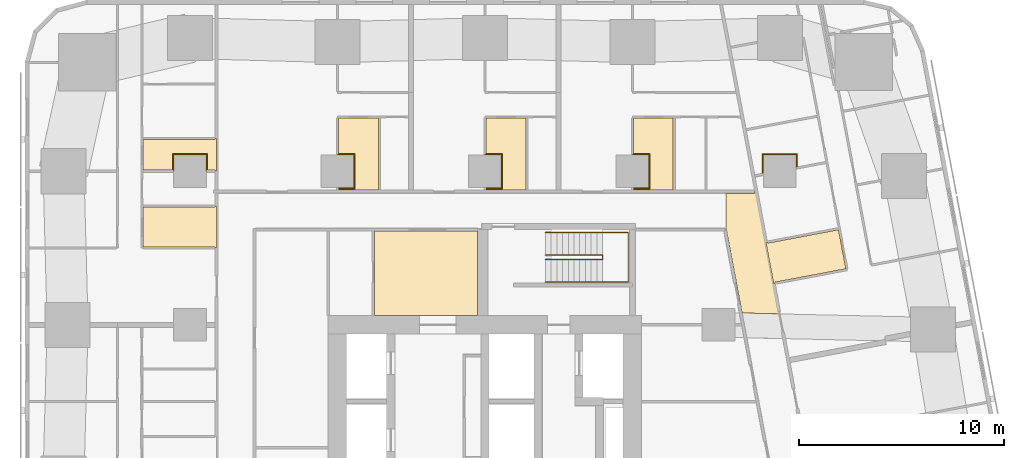
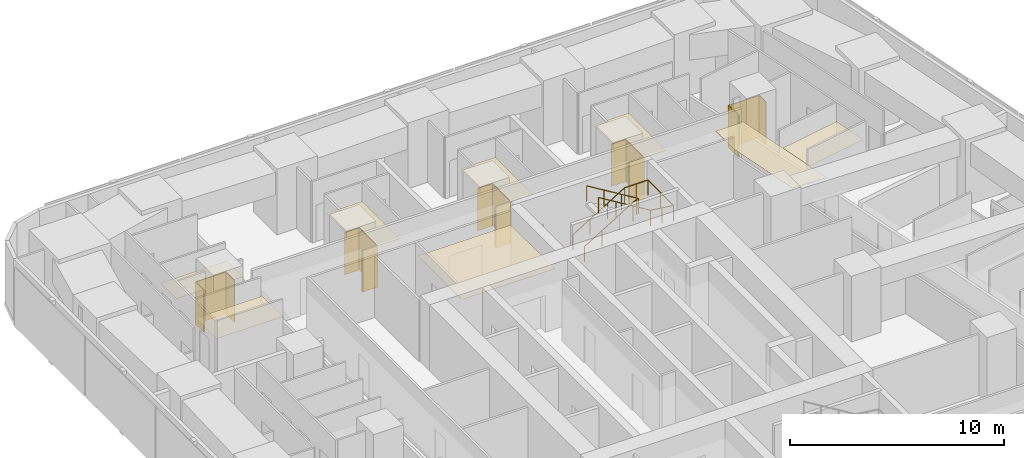
# One storey, part 16 of 16: 13 coverings, 2 railings.
"""IFC4 building model written with IfcOpenShell, lengths in metres."""

from ifc_helpers import new_model, si_unit, direction, frame, origin, origin_2d, place, context, subcontext, project, spatial, polyline, circle, outline, extrude, material, layer, layer_set, type_object, element, save


model = new_model("IFC4")

# Units and contexts
model_context = context("Model", 3, precision=1e-05, world=origin(), true_north=direction((0.0, 1.0)))
body_context = subcontext(model_context, "Body", "Model", "MODEL_VIEW")
ifc_project = project(units=[si_unit("LENGTHUNIT", "METRE"), si_unit("AREAUNIT", "SQUARE_METRE"), si_unit("VOLUMEUNIT", "CUBIC_METRE"), si_unit("PLANEANGLEUNIT", "RADIAN"), si_unit("MASSUNIT", "GRAM", prefix="KILO")], contexts=[model_context])

# Site, building, storey
site_placement = place(None, origin())
site = spatial("IfcSite", under=ifc_project, at=site_placement, CompositionType="ELEMENT")
building_placement = place(site_placement, origin())
building = spatial("IfcBuilding", under=site, at=building_placement, Name="Sheger Commons Tower", CompositionType="ELEMENT")
storey_placement = place(building_placement, frame((0.0, 0.0, 96.64990234375)))
storey = spatial("IfcBuildingStorey", under=building, at=storey_placement, Name="L24", CompositionType="ELEMENT", Elevation=96.64990234375)

# Railings
ifc_material_1 = material(Name="Steel handrail, black powder-coated", Category="steel")
railing_type = type_object("IfcRailingType", Name="HANDRAIL 900", PredefinedType="HANDRAIL", material=ifc_material_1)
railing_1_placement = place(storey_placement, frame((24.550048828125, 33.39990234375, 0.170654296875)))
element("IfcRailing", 1, at=railing_1_placement, inside=storey, type_object=railing_type, Name="Stair S2 handrail L24", PredefinedType="HANDRAIL", context=body_context, shape_type="SweptSolid", body=[
    extrude(circle(Radius=0.02392578125, at=origin_2d()), frame((0.0, 0.0, 0.8759765625), z_axis=(0.854202870247, 0.0, 0.519939858505), x_axis=(0.0, 1.0, 0.0)), (0.0, 0.0, 1.0), 3.278076171875),
    extrude(circle(Radius=0.02392578125, at=origin_2d()), frame((2.800048828125, 0.0, 2.580078125), z_axis=(0.0, -0.760631612298, 0.649183757016), x_axis=(1.0, 0.0, 0.0)), (0.0, 0.0, 1.0), 0.262939453125),
    extrude(circle(Radius=0.02392578125, at=origin_2d()), frame((2.800048828125, -0.199951171875, 2.7509765625), z_axis=(-0.854202870247, 0.0, 0.519939858505), x_axis=(0.0, -1.0, 0.0)), (0.0, 0.0, 1.0), 3.278076171875),
    extrude(circle(Radius=0.02099609375, at=origin_2d()), origin(), (0.0, 0.0, 1.0), 0.851806640625),
    extrude(circle(Radius=0.02099609375, at=origin_2d()), frame((0.933349609375, 0.0, 0.568115234375)), (0.0, 0.0, 1.0), 0.851806640625),
    extrude(circle(Radius=0.02099609375, at=origin_2d()), frame((1.86669921875, 0.0, 1.13623046875)), (0.0, 0.0, 1.0), 0.851806640625),
    extrude(circle(Radius=0.02099609375, at=origin_2d()), frame((2.800048828125, 0.0, 1.704345703125)), (0.0, 0.0, 1.0), 0.851806640625),
    extrude(circle(Radius=0.02099609375, at=origin_2d()), frame((2.800048828125, -0.199951171875, 1.875)), (0.0, 0.0, 1.0), 0.851806640625),
    extrude(circle(Radius=0.02099609375, at=origin_2d()), frame((1.86669921875, -0.199951171875, 2.443115234375)), (0.0, 0.0, 1.0), 0.851806640625),
    extrude(circle(Radius=0.02099609375, at=origin_2d()), frame((0.933349609375, -0.199951171875, 3.01123046875)), (0.0, 0.0, 1.0), 0.851806640625),
    extrude(circle(Radius=0.02099609375, at=origin_2d()), frame((0.0, -0.199951171875, 3.579345703125)), (0.0, 0.0, 1.0), 0.851806640625),
])
railing_2_placement = place(storey_placement, frame((24.550048828125, 34.5, 0.170654296875)))
element("IfcRailing", 2, at=railing_2_placement, inside=storey, type_object=railing_type, Name="Stair S2 handrail L24", PredefinedType="HANDRAIL", context=body_context, shape_type="SweptSolid", body=[
    extrude(circle(Radius=0.02392578125, at=origin_2d()), frame((0.0, 0.0, 0.8759765625), z_axis=(0.854202870247, 0.0, 0.519939858505), x_axis=(0.0, 1.0, 0.0)), (0.0, 0.0, 1.0), 3.278076171875),
    extrude(circle(Radius=0.02392578125, at=origin_2d()), frame((2.800048828125, 0.0, 2.580078125), z_axis=(1.0, 0.0, 0.0), x_axis=(0.0, 1.0, 0.0)), (0.0, 0.0, 1.0), 1.25),
    extrude(circle(Radius=0.02392578125, at=origin_2d()), frame((4.050048828125, 0.0, 2.580078125), z_axis=(0.0, -1.0, 0.0), x_axis=(1.0, 0.0, 0.0)), (0.0, 0.0, 1.0), 2.39990234375),
    extrude(circle(Radius=0.02392578125, at=origin_2d()), frame((4.050048828125, -2.39990234375, 2.580078125), z_axis=(-0.990808959222, 0.0, 0.135268645019), x_axis=(0.0, -1.0, 0.0)), (0.0, 0.0, 1.0), 1.261474609375),
    extrude(circle(Radius=0.02392578125, at=origin_2d()), frame((2.800048828125, -2.39990234375, 2.7509765625), z_axis=(-0.854202870247, 0.0, 0.519939858505), x_axis=(0.0, -1.0, 0.0)), (0.0, 0.0, 1.0), 3.278076171875),
    extrude(circle(Radius=0.02099609375, at=origin_2d()), origin(), (0.0, 0.0, 1.0), 0.851806640625),
    extrude(circle(Radius=0.02099609375, at=origin_2d()), frame((0.933349609375, 0.0, 0.568115234375)), (0.0, 0.0, 1.0), 0.851806640625),
    extrude(circle(Radius=0.02099609375, at=origin_2d()), frame((1.86669921875, 0.0, 1.13623046875)), (0.0, 0.0, 1.0), 0.851806640625),
    extrude(circle(Radius=0.02099609375, at=origin_2d()), frame((2.800048828125, 0.0, 1.704345703125)), (0.0, 0.0, 1.0), 0.851806640625),
    extrude(circle(Radius=0.02099609375, at=origin_2d()), frame((3.425048828125, 0.0, 1.704345703125)), (0.0, 0.0, 1.0), 0.851806640625),
    extrude(circle(Radius=0.02099609375, at=origin_2d()), frame((4.050048828125, 0.0, 1.704345703125)), (0.0, 0.0, 1.0), 0.851806640625),
    extrude(circle(Radius=0.02099609375, at=origin_2d()), frame((4.050048828125, -1.199951171875, 1.704345703125)), (0.0, 0.0, 1.0), 0.851806640625),
    extrude(circle(Radius=0.02099609375, at=origin_2d()), frame((4.050048828125, -2.39990234375, 1.704345703125)), (0.0, 0.0, 1.0), 0.851806640625),
    extrude(circle(Radius=0.02099609375, at=origin_2d()), frame((3.425048828125, -2.39990234375, 1.78955078125)), (0.0, 0.0, 1.0), 0.851806640625),
    extrude(circle(Radius=0.02099609375, at=origin_2d()), frame((2.800048828125, -2.39990234375, 1.875)), (0.0, 0.0, 1.0), 0.851806640625),
    extrude(circle(Radius=0.02099609375, at=origin_2d()), frame((1.86669921875, -2.39990234375, 2.443115234375)), (0.0, 0.0, 1.0), 0.851806640625),
    extrude(circle(Radius=0.02099609375, at=origin_2d()), frame((0.933349609375, -2.39990234375, 3.01123046875)), (0.0, 0.0, 1.0), 0.851806640625),
    extrude(circle(Radius=0.02099609375, at=origin_2d()), frame((0.0, -2.39990234375, 3.579345703125)), (0.0, 0.0, 1.0), 0.851806640625),
])

# Coverings
ifc_material_2 = material(Name="Moisture-resistant gypsum plasterboard 15 mm on a suspended galvanised steel grid", Category="steel")
ifc_layer_1 = layer(ifc_material_2, 0.014892578125)
ifc_layer_set_1 = layer_set([ifc_layer_1], Name="MOISTURE-RESISTANT CEILING 15")
covering_type_1 = type_object("IfcCoveringType", Name="MOISTURE-RESISTANT CEILING 15", PredefinedType="CEILING", material=ifc_layer_set_1)
covering_1_placement = place(storey_placement, frame((0.0, 0.0, 2.400146484375)))
element("IfcCovering", 3, at=covering_1_placement, inside=storey, type_object=covering_type_1, Name="L24-04.B1 ceiling", PredefinedType="CEILING", context=body_context, shape_type="SweptSolid", body=[
    extrude(outline(polyline([(8.429931640625, 33.75), (8.5, 33.75), (8.5, 35.800048828125), (8.429931640625, 35.800048828125), (8.429931640625, 35.7451171875), (4.905029296875, 35.7451171875), (4.905029296875, 33.804931640625), (8.429931640625, 33.804931640625), (8.429931640625, 33.75)])), origin(), (0.0, 0.0, 1.0), 0.014892578125),
])
covering_2_placement = place(storey_placement, frame((0.0, 0.0, 2.400146484375)))
element("IfcCovering", 4, at=covering_2_placement, inside=storey, type_object=covering_type_1, Name="L24-04.B2 ceiling", PredefinedType="CEILING", context=body_context, shape_type="SweptSolid", body=[
    extrude(outline(polyline([(8.429931640625, 37.5), (8.5, 37.5), (8.5, 39.10009765625), (8.429931640625, 39.10009765625), (8.429931640625, 39.044921875), (4.905029296875, 39.044921875), (4.905029296875, 37.554931640625), (6.39501953125, 37.554931640625), (6.39501953125, 38.304931640625), (8.0048828125, 38.304931640625), (8.0048828125, 37.554931640625), (8.429931640625, 37.554931640625), (8.429931640625, 37.5)])), origin(), (0.0, 0.0, 1.0), 0.014892578125),
])
covering_3_placement = place(storey_placement, frame((0.0, 0.0, 2.400146484375)))
element("IfcCovering", 5, at=covering_3_placement, inside=storey, type_object=covering_type_1, Name="L24-09.B1 ceiling", PredefinedType="CEILING", context=body_context, shape_type="SweptSolid", body=[
    extrude(outline(polyline([(35.701904296875, 32.014892578125), (35.77099609375, 32.028076171875), (35.760986328125, 32.08203125), (39.22412109375, 32.736083984375), (38.864013671875, 34.64208984375), (35.40087890625, 33.988037109375), (35.39111328125, 34.0419921875), (35.322021484375, 34.029052734375), (35.701904296875, 32.014892578125)])), origin(), (0.0, 0.0, 1.0), 0.014892578125),
])
covering_4_placement = place(storey_placement, frame((0.0, 0.0, 2.400146484375)))
element("IfcCovering", 6, at=covering_4_placement, inside=storey, type_object=covering_type_1, Name="L24-12.B1 ceiling", PredefinedType="CEILING", context=body_context, shape_type="SweptSolid", body=[
    extrude(outline(polyline([(14.455078125, 36.580078125), (16.39501953125, 36.580078125), (16.39501953125, 40.094970703125), (14.455078125, 40.094970703125), (14.455078125, 38.304931640625), (15.205078125, 38.304931640625), (15.205078125, 36.695068359375), (14.455078125, 36.695068359375), (14.455078125, 36.580078125)])), origin(), (0.0, 0.0, 1.0), 0.014892578125),
])
covering_5_placement = place(storey_placement, frame((0.0, 0.0, 2.400146484375)))
element("IfcCovering", 7, at=covering_5_placement, inside=storey, type_object=covering_type_1, Name="L24-13.B1 ceiling", PredefinedType="CEILING", context=body_context, shape_type="SweptSolid", body=[
    extrude(outline(polyline([(21.655029296875, 36.580078125), (23.594970703125, 36.580078125), (23.594970703125, 40.094970703125), (21.655029296875, 40.094970703125), (21.655029296875, 38.304931640625), (22.405029296875, 38.304931640625), (22.405029296875, 36.695068359375), (21.655029296875, 36.695068359375), (21.655029296875, 36.580078125)])), origin(), (0.0, 0.0, 1.0), 0.014892578125),
])
covering_6_placement = place(storey_placement, frame((0.0, 0.0, 2.400146484375)))
element("IfcCovering", 8, at=covering_6_placement, inside=storey, type_object=covering_type_1, Name="L24-14.B1 ceiling", PredefinedType="CEILING", context=body_context, shape_type="SweptSolid", body=[
    extrude(outline(polyline([(28.85498046875, 36.580078125), (30.794921875, 36.580078125), (30.794921875, 40.094970703125), (28.85498046875, 40.094970703125), (28.85498046875, 38.304931640625), (29.60498046875, 38.304931640625), (29.60498046875, 36.695068359375), (28.85498046875, 36.695068359375), (28.85498046875, 36.580078125)])), origin(), (0.0, 0.0, 1.0), 0.014892578125),
])
ifc_material_3 = material(Name="Gypsum plasterboard 15 mm on a suspended steel grid", Category="steel")
ifc_layer_2 = layer(ifc_material_3, 0.014892578125)
ifc_layer_set_2 = layer_set([ifc_layer_2], Name="SUSPENDED CEILING 15")
covering_type_2 = type_object("IfcCoveringType", Name="SUSPENDED CEILING 15", PredefinedType="CEILING", material=ifc_layer_set_2)
covering_7_placement = place(storey_placement, frame((0.0, 0.0, 2.7001953125)))
element("IfcCovering", 9, at=covering_7_placement, inside=storey, type_object=covering_type_2, Name="L24-CO ceiling", PredefinedType="CEILING", context=body_context, shape_type="SweptSolid", body=[
    extrude(outline(polyline([(35.98095703125, 30.5380859375), (34.85498046875, 36.5), (34.77001953125, 36.5), (34.77001953125, 36.419921875), (33.365966796875, 36.419921875), (33.365966796875, 34.699951171875), (33.365966796875, 34.697998046875), (33.364013671875, 34.697998046875), (33.382080078125, 34.60205078125), (33.39892578125, 34.60498046875), (34.159912109375, 30.5791015625), (35.98095703125, 30.5380859375)])), origin(), (0.0, 0.0, 1.0), 0.014892578125),
])
covering_8_placement = place(storey_placement, frame((0.0, 0.0, 2.7001953125)))
element("IfcCovering", 10, at=covering_8_placement, inside=storey, type_object=covering_type_2, Name="L24-SVN1 ceiling", PredefinedType="CEILING", context=body_context, shape_type="SweptSolid", body=[
    extrude(outline(polyline([(16.217041015625, 30.455078125), (21.2451171875, 30.455078125), (21.2451171875, 34.58203125), (16.217041015625, 34.58203125), (16.217041015625, 30.455078125)])), origin(), (0.0, 0.0, 1.0), 0.014892578125),
])
ifc_material_4 = material(Name="Moisture-resistant gypsum board 12.5 mm on 25 mm treated timber battens, tanked and tiled", Category="wood")
ifc_layer_3 = layer(ifc_material_4, 0.050048828125)
ifc_layer_set_3 = layer_set([ifc_layer_3], Name="WET-ROOM COLUMN LINING")
covering_type_3 = type_object("IfcCoveringType", Name="WET-ROOM COLUMN LINING", PredefinedType="CLADDING", material=ifc_layer_set_3)
covering_9_placement = place(storey_placement, origin())
element("IfcCovering", 11, at=covering_9_placement, inside=storey, type_object=covering_type_3, Name="Shower room column lining C9 L24", PredefinedType="CLADDING", context=body_context, shape_type="SweptSolid", body=[
    extrude(outline(polyline([(8.050048828125, 38.35009765625), (8.050048828125, 37.550048828125), (8.0009765625, 37.550048828125), (8.0009765625, 37.5), (8.0, 37.5), (8.0, 38.300048828125), (6.39990234375, 38.300048828125), (6.39990234375, 37.5), (6.39892578125, 37.5), (6.39892578125, 37.550048828125), (6.35009765625, 37.550048828125), (6.35009765625, 38.35009765625), (8.050048828125, 38.35009765625)])), origin(), (0.0, 0.0, 1.0), 2.400146484375),
])
covering_10_placement = place(storey_placement, origin())
element("IfcCovering", 12, at=covering_10_placement, inside=storey, type_object=covering_type_3, Name="Bathroom column lining C9 L24", PredefinedType="CLADDING", context=body_context, shape_type="SweptSolid", body=[
    extrude(outline(polyline([(15.25, 36.64990234375), (14.449951171875, 36.64990234375), (14.449951171875, 36.698974609375), (14.39990234375, 36.698974609375), (14.39990234375, 36.699951171875), (15.199951171875, 36.699951171875), (15.199951171875, 38.300048828125), (14.39990234375, 38.300048828125), (14.39990234375, 38.301025390625), (14.449951171875, 38.301025390625), (14.449951171875, 38.35009765625), (15.25, 38.35009765625), (15.25, 36.64990234375)])), origin(), (0.0, 0.0, 1.0), 2.400146484375),
])
covering_11_placement = place(storey_placement, origin())
element("IfcCovering", 13, at=covering_11_placement, inside=storey, type_object=covering_type_3, Name="Bathroom column lining C9 L24", PredefinedType="CLADDING", context=body_context, shape_type="SweptSolid", body=[
    extrude(outline(polyline([(22.449951171875, 36.64990234375), (21.64990234375, 36.64990234375), (21.64990234375, 36.698974609375), (21.60009765625, 36.698974609375), (21.60009765625, 36.699951171875), (22.39990234375, 36.699951171875), (22.39990234375, 38.300048828125), (21.60009765625, 38.300048828125), (21.60009765625, 38.301025390625), (21.64990234375, 38.301025390625), (21.64990234375, 38.35009765625), (22.449951171875, 38.35009765625), (22.449951171875, 36.64990234375)])), origin(), (0.0, 0.0, 1.0), 2.400146484375),
])
covering_12_placement = place(storey_placement, origin())
element("IfcCovering", 14, at=covering_12_placement, inside=storey, type_object=covering_type_3, Name="Bathroom column lining C9 L24", PredefinedType="CLADDING", context=body_context, shape_type="SweptSolid", body=[
    extrude(outline(polyline([(29.64990234375, 36.64990234375), (28.85009765625, 36.64990234375), (28.85009765625, 36.698974609375), (28.800048828125, 36.698974609375), (28.800048828125, 36.699951171875), (29.60009765625, 36.699951171875), (29.60009765625, 38.300048828125), (28.800048828125, 38.300048828125), (28.800048828125, 38.301025390625), (28.85009765625, 38.301025390625), (28.85009765625, 38.35009765625), (29.64990234375, 38.35009765625), (29.64990234375, 36.64990234375)])), origin(), (0.0, 0.0, 1.0), 2.400146484375),
])
covering_13_placement = place(storey_placement, origin())
element("IfcCovering", 15, at=covering_13_placement, inside=storey, type_object=covering_type_3, Name="Laundry room column lining C9 L24", PredefinedType="CLADDING", context=body_context, shape_type="SweptSolid", body=[
    extrude(outline(polyline([(36.85009765625, 38.35009765625), (36.85009765625, 37.7109375), (36.801025390625, 37.701904296875), (36.81005859375, 37.654052734375), (36.800048828125, 37.652099609375), (36.800048828125, 38.300048828125), (35.199951171875, 38.300048828125), (35.199951171875, 37.34912109375), (35.18994140625, 37.346923828125), (35.180908203125, 37.39599609375), (35.14990234375, 37.389892578125), (35.14990234375, 38.35009765625), (36.85009765625, 38.35009765625)])), origin(), (0.0, 0.0, 1.0), 2.400146484375),
])

save(model, "model.ifc")
